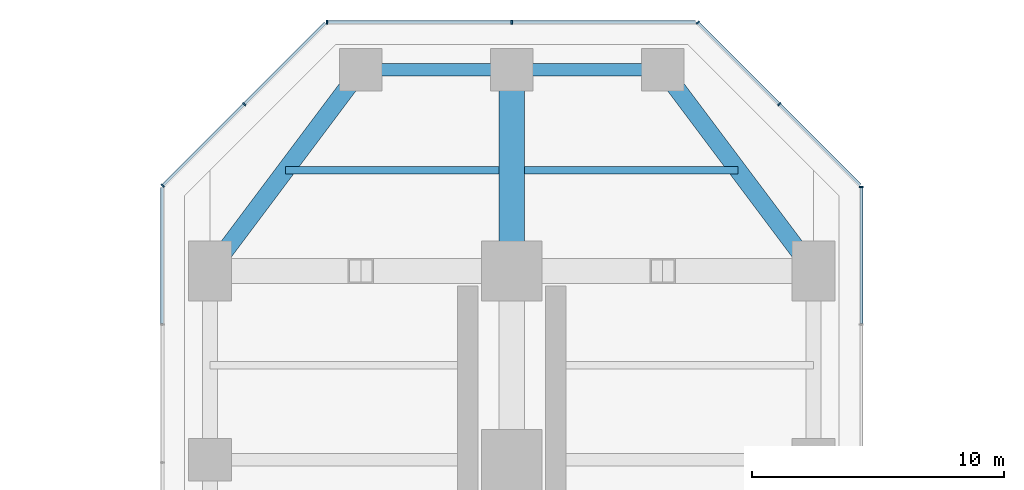
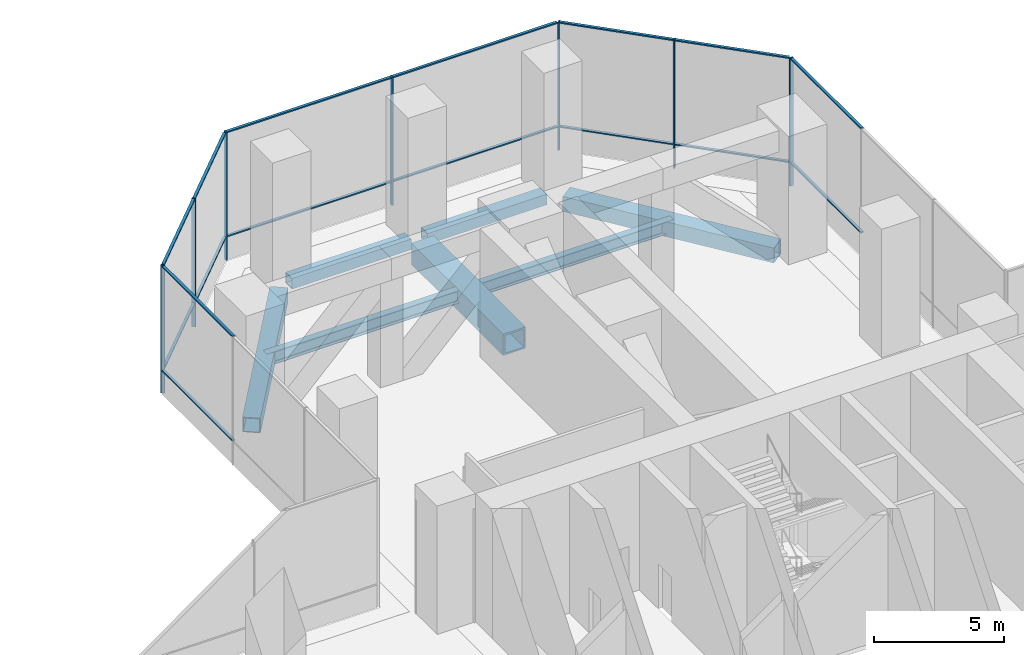
# One storey, part 12 of 20: 23 members, 7 beams, 5 elements without a shape of their own.
"""IFC4 building model written with IfcOpenShell, lengths in metres."""

from ifc_helpers import new_model, si_unit, direction, frame, origin, origin_2d, place, context, subcontext, project, spatial, rectangle, hollow_rectangle, i_section, extrude, material, material_profile, profile_set, type_object, element, aggregate, save


model = new_model("IFC4")

# Units and contexts
model_context = context("Model", 3, precision=1e-05, world=origin(), true_north=direction((0.0, 1.0)))
body_context = subcontext(model_context, "Body", "Model", "MODEL_VIEW")
ifc_project = project(units=[si_unit("LENGTHUNIT", "METRE"), si_unit("AREAUNIT", "SQUARE_METRE"), si_unit("VOLUMEUNIT", "CUBIC_METRE"), si_unit("PLANEANGLEUNIT", "RADIAN"), si_unit("MASSUNIT", "GRAM", prefix="KILO")], contexts=[model_context])

# Site, building, storey
site_placement = place(None, origin())
site = spatial("IfcSite", under=ifc_project, at=site_placement, CompositionType="ELEMENT")
building_placement = place(site_placement, origin())
building = spatial("IfcBuilding", under=site, at=building_placement, Name="Mizan Broadcast Tower", CompositionType="ELEMENT")
storey_placement = place(building_placement, frame((0.0, 0.0, 118.199951171875)))
storey = spatial("IfcBuildingStorey", under=building, at=storey_placement, Name="L26", CompositionType="ELEMENT", Elevation=118.199951171875)

# Beams
ifc_material_1 = material(Name="Steel S355", Category="steel")
ifc_material_profile_1 = material_profile(ifc_material_1, hollow_rectangle(XDim=0.5, YDim=0.5, WallThickness=0.030029296875, at=origin_2d()), Name="BOX 500x500x30")
ifc_profile_set_1 = profile_set([ifc_material_profile_1], Name="Steel S355")
beam_type_1 = type_object("IfcBeamType", Name="EDGE BEAM BOX 500x500x30", PredefinedType="SPANDREL", material=ifc_profile_set_1)
for number, where, z_axis, x_axis, name in (
    (1, (5.639892578125, 35.0, -0.429931640625), (-1.0, 0.0, 0.0), (0.0, -1.0, 0.0), "Edge beam BOX 500x500x30 L26 north arm"),
    (2, (-5.639892578125, 35.0, -0.429931640625), (1.0, 0.0, 0.0), (0.0, 1.0, 0.0), "Edge beam BOX 500x500x30 L26 north arm"),
):
    element("IfcBeam", number, at=place(storey_placement, frame(where, z_axis=z_axis, x_axis=x_axis)), inside=storey, type_object=beam_type_1, Name=name, PredefinedType="SPANDREL", context=body_context, shape_type="SweptSolid", body=[
        extrude(hollow_rectangle(XDim=0.5, YDim=0.5, WallThickness=0.030029296875, at=origin_2d()), origin(), (0.0, 0.0, 1.0), 5.27978515625),
    ])
ifc_material_2 = material(Name="Steel S355", Category="steel")
ifc_material_profile_2 = material_profile(ifc_material_2, hollow_rectangle(XDim=0.699951171875, YDim=0.699951171875, WallThickness=0.0400390625, at=origin_2d()), Name="BOX 700x700x40")
ifc_profile_set_2 = profile_set([ifc_material_profile_2], Name="Steel S355")
beam_type_2 = type_object("IfcBeamType", Name="EDGE BEAM BOX 700x700x40", PredefinedType="SPANDREL", material=ifc_profile_set_2)
for number, where, z_axis, x_axis, name in (
    (3, (11.639892578125, 27.47998046875, -0.530029296875), (-0.599982243973, 0.800013316712, 0.0), (-0.800013316712, -0.599982243973, 0.0), "Edge beam BOX 700x700x40 L26 north arm"),
    (4, (-11.639892578125, 27.47998046875, -0.530029296875), (0.599982243973, 0.800013316712, 0.0), (-0.800013316712, 0.599982243973, 0.0), "Edge beam BOX 700x700x40 L26 north arm"),
):
    element("IfcBeam", number, at=place(storey_placement, frame(where, z_axis=z_axis, x_axis=x_axis)), inside=storey, type_object=beam_type_2, Name=name, PredefinedType="SPANDREL", context=body_context, shape_type="SweptSolid", body=[
        extrude(hollow_rectangle(XDim=0.699951171875, YDim=0.699951171875, WallThickness=0.0400390625, at=origin_2d()), origin(), (0.0, 0.0, 1.0), 8.7998046875),
    ])
ifc_material_3 = material(Name="Steel S460", Category="steel")
ifc_material_profile_3 = material_profile(ifc_material_3, hollow_rectangle(XDim=1.0, YDim=1.0, WallThickness=0.080078125, at=origin_2d()), Name="BOX 1000x1000x80")
ifc_profile_set_3 = profile_set([ifc_material_profile_3], Name="Steel S460")
beam_type_3 = type_object("IfcBeamType", Name="GIRDER BOX 1000x1000x80", PredefinedType="BEAM", material=ifc_profile_set_3)
beam_placement = place(storey_placement, frame((0.0, 27.47998046875, -0.679931640625), z_axis=(0.0, 1.0, 0.0), x_axis=(-1.0, 0.0, 0.0)))
element("IfcBeam", 5, at=beam_placement, inside=storey, type_object=beam_type_3, Name="Girder BOX 1000x1000x80 L26 north arm", PredefinedType="BEAM", context=body_context, shape_type="SweptSolid", body=[
    extrude(hollow_rectangle(XDim=1.0, YDim=1.0, WallThickness=0.080078125, at=origin_2d()), origin(), (0.0, 0.0, 1.0), 7.0400390625),
])

# Curtain wall, member
ifc_material_4 = material(Name="Aluminium framed glazing", Category="aluminium")
curtain_wall_type = type_object("IfcCurtainWallType", Name="PLANT LOUVRE", PredefinedType="USERDEFINED", material=ifc_material_4)
curtain_wall_1_placement = place(storey_placement, origin())
curtain_wall_1 = element("IfcCurtainWall", 6, at=curtain_wall_1_placement, inside=storey, type_object=curtain_wall_type, Name="Plant louvre L26 N side", ObjectType="PLANT LOUVRE", PredefinedType="USERDEFINED")
ifc_material_5 = material(Name="Aluminium, pale anodised", Category="aluminium")
ifc_material_profile_4 = material_profile(ifc_material_5, rectangle(XDim=0.159912109375, YDim=0.06005859375, at=origin_2d()), Name="MULLION 160x60")
ifc_profile_set_4 = profile_set([ifc_material_profile_4], Name="Aluminium, pale anodised")
member_type_1 = type_object("IfcMemberType", Name="INNER SKIN MULLION 60x160", PredefinedType="MULLION", material=ifc_profile_set_4)
member_1_placement = place(storey_placement, frame((13.89990234375, 30.3427734375, 0.0), z_axis=(0.0, 0.0, 1.0), x_axis=(-1.0, 0.0, 0.0)))
member_1 = element("IfcMember", 7, at=member_1_placement, type_object=member_type_1, Name="Plant louvre L26 N side mullion 4", PredefinedType="MULLION", context=body_context, shape_type="SweptSolid", body=[
    extrude(rectangle(XDim=0.159912109375, YDim=0.06005859375, at=origin_2d()), origin(), (0.0, 0.0, 1.0), 6.0),
])

# Curtain wall, members
curtain_wall_2_placement = place(storey_placement, origin())
curtain_wall_2 = element("IfcCurtainWall", 8, at=curtain_wall_2_placement, inside=storey, type_object=curtain_wall_type, Name="Plant louvre L26 N chamfer", ObjectType="PLANT LOUVRE", PredefinedType="USERDEFINED")
member_2_placement = place(storey_placement, frame((10.636474609375, 33.636474609375, 0.0), z_axis=(0.0, 0.0, 1.0), x_axis=(-0.707106781187, -0.707106781187, 0.0)))
member_2 = element("IfcMember", 9, at=member_2_placement, type_object=member_type_1, Name="Plant louvre L26 N chamfer mullion 2", PredefinedType="MULLION", context=body_context, shape_type="SweptSolid", body=[
    extrude(rectangle(XDim=0.159912109375, YDim=0.06005859375, at=origin_2d()), origin(), (0.0, 0.0, 1.0), 6.0),
])
member_3_placement = place(storey_placement, frame((7.39404296875, 36.87890625, 0.0), z_axis=(0.0, 0.0, 1.0), x_axis=(-0.707106781187, -0.707106781187, 0.0)))
member_3 = element("IfcMember", 10, at=member_3_placement, type_object=member_type_1, Name="Plant louvre L26 N chamfer mullion 3", PredefinedType="MULLION", context=body_context, shape_type="SweptSolid", body=[
    extrude(rectangle(XDim=0.159912109375, YDim=0.06005859375, at=origin_2d()), origin(), (0.0, 0.0, 1.0), 6.0),
])

curtain_wall_3_placement = place(storey_placement, origin())
curtain_wall_3 = element("IfcCurtainWall", 11, at=curtain_wall_3_placement, inside=storey, type_object=curtain_wall_type, Name="Plant louvre L26 N end", ObjectType="PLANT LOUVRE", PredefinedType="USERDEFINED")
member_4_placement = place(storey_placement, frame((0.0, 36.89990234375, 0.0), z_axis=(0.0, 0.0, 1.0), x_axis=(0.0, -1.0, 0.0)))
member_4 = element("IfcMember", 12, at=member_4_placement, type_object=member_type_1, Name="Plant louvre L26 N end mullion 2", PredefinedType="MULLION", context=body_context, shape_type="SweptSolid", body=[
    extrude(rectangle(XDim=0.159912109375, YDim=0.06005859375, at=origin_2d()), origin(), (0.0, 0.0, 1.0), 6.0),
])
member_5_placement = place(storey_placement, frame((-7.3427734375, 36.89990234375, 0.0), z_axis=(0.0, 0.0, 1.0), x_axis=(0.0, -1.0, 0.0)))
member_5 = element("IfcMember", 13, at=member_5_placement, type_object=member_type_1, Name="Plant louvre L26 N end mullion 3", PredefinedType="MULLION", context=body_context, shape_type="SweptSolid", body=[
    extrude(rectangle(XDim=0.159912109375, YDim=0.06005859375, at=origin_2d()), origin(), (0.0, 0.0, 1.0), 6.0),
])

curtain_wall_4_placement = place(storey_placement, origin())
curtain_wall_4 = element("IfcCurtainWall", 14, at=curtain_wall_4_placement, inside=storey, type_object=curtain_wall_type, Name="Plant louvre L26 N chamfer", ObjectType="PLANT LOUVRE", PredefinedType="USERDEFINED")
member_6_placement = place(storey_placement, frame((-10.636474609375, 33.636474609375, 0.0), z_axis=(0.0, 0.0, 1.0), x_axis=(0.707106781187, -0.707106781187, 0.0)))
member_6 = element("IfcMember", 15, at=member_6_placement, type_object=member_type_1, Name="Plant louvre L26 N chamfer mullion 2", PredefinedType="MULLION", context=body_context, shape_type="SweptSolid", body=[
    extrude(rectangle(XDim=0.159912109375, YDim=0.06005859375, at=origin_2d()), origin(), (0.0, 0.0, 1.0), 6.0),
])
member_7_placement = place(storey_placement, frame((-13.87890625, 30.39404296875, 0.0), z_axis=(0.0, 0.0, 1.0), x_axis=(0.707106781187, -0.707106781187, 0.0)))
member_7 = element("IfcMember", 16, at=member_7_placement, type_object=member_type_1, Name="Plant louvre L26 N chamfer mullion 3", PredefinedType="MULLION", context=body_context, shape_type="SweptSolid", body=[
    extrude(rectangle(XDim=0.159912109375, YDim=0.06005859375, at=origin_2d()), origin(), (0.0, 0.0, 1.0), 6.0),
])

# Member
ifc_material_6 = material(Name="Aluminium, pale anodised", Category="aluminium")
ifc_material_profile_5 = material_profile(ifc_material_6, rectangle(XDim=0.1201171875, YDim=0.06005859375, at=origin_2d()), Name="TRANSOM 120x60")
ifc_profile_set_5 = profile_set([ifc_material_profile_5], Name="Aluminium, pale anodised")
member_type_2 = type_object("IfcMemberType", Name="INNER SKIN TRANSOM 60x120", PredefinedType="USERDEFINED", material=ifc_profile_set_5)
member_8_placement = place(storey_placement, frame((13.89990234375, 24.911865234375, 1.10009765625), z_axis=(0.0, 1.0, 0.0), x_axis=(-1.0, 0.0, 0.0)))
member_8 = element("IfcMember", 17, at=member_8_placement, type_object=member_type_2, Name="Plant louvre L26 N side transom 3.1", ObjectType="TRANSOM", PredefinedType="USERDEFINED", context=body_context, shape_type="SweptSolid", body=[
    extrude(rectangle(XDim=0.1201171875, YDim=0.06005859375, at=origin_2d()), origin(), (0.0, 0.0, 1.0), 5.40087890625),
])

member_9_placement = place(storey_placement, frame((13.89990234375, 24.911865234375, 5.969970703125), z_axis=(0.0, 1.0, 0.0), x_axis=(-1.0, 0.0, 0.0)))
member_9 = element("IfcMember", 18, at=member_9_placement, type_object=member_type_2, Name="Plant louvre L26 N side transom 3.2", ObjectType="TRANSOM", PredefinedType="USERDEFINED", context=body_context, shape_type="SweptSolid", body=[
    extrude(rectangle(XDim=0.1201171875, YDim=0.06005859375, at=origin_2d()), origin(), (0.0, 0.0, 1.0), 5.40087890625),
])

aggregate(curtain_wall_1, [member_1, member_8, member_9])

member_10_placement = place(storey_placement, frame((13.857666015625, 30.415283203125, 1.10009765625), z_axis=(-0.707106781187, 0.707106781187, 0.0), x_axis=(-0.707106781187, -0.707106781187, 0.0)))
member_10 = element("IfcMember", 19, at=member_10_placement, type_object=member_type_2, Name="Plant louvre L26 N chamfer transom 1.1", ObjectType="TRANSOM", PredefinedType="USERDEFINED", context=body_context, shape_type="SweptSolid", body=[
    extrude(rectangle(XDim=0.1201171875, YDim=0.06005859375, at=origin_2d()), origin(), (0.0, 0.0, 1.0), 4.525390625),
])

member_11_placement = place(storey_placement, frame((13.857666015625, 30.415283203125, 5.969970703125), z_axis=(-0.707106781187, 0.707106781187, 0.0), x_axis=(-0.707106781187, -0.707106781187, 0.0)))
member_11 = element("IfcMember", 20, at=member_11_placement, type_object=member_type_2, Name="Plant louvre L26 N chamfer transom 1.2", ObjectType="TRANSOM", PredefinedType="USERDEFINED", context=body_context, shape_type="SweptSolid", body=[
    extrude(rectangle(XDim=0.1201171875, YDim=0.06005859375, at=origin_2d()), origin(), (0.0, 0.0, 1.0), 4.525390625),
])

member_12_placement = place(storey_placement, frame((10.615234375, 33.65771484375, 1.10009765625), z_axis=(-0.707106781187, 0.707106781187, 0.0), x_axis=(-0.707106781187, -0.707106781187, 0.0)))
member_12 = element("IfcMember", 21, at=member_12_placement, type_object=member_type_2, Name="Plant louvre L26 N chamfer transom 2.1", ObjectType="TRANSOM", PredefinedType="USERDEFINED", context=body_context, shape_type="SweptSolid", body=[
    extrude(rectangle(XDim=0.1201171875, YDim=0.06005859375, at=origin_2d()), origin(), (0.0, 0.0, 1.0), 4.525390625),
])

member_13_placement = place(storey_placement, frame((10.615234375, 33.65771484375, 5.969970703125), z_axis=(-0.707106781187, 0.707106781187, 0.0), x_axis=(-0.707106781187, -0.707106781187, 0.0)))
member_13 = element("IfcMember", 22, at=member_13_placement, type_object=member_type_2, Name="Plant louvre L26 N chamfer transom 2.2", ObjectType="TRANSOM", PredefinedType="USERDEFINED", context=body_context, shape_type="SweptSolid", body=[
    extrude(rectangle(XDim=0.1201171875, YDim=0.06005859375, at=origin_2d()), origin(), (0.0, 0.0, 1.0), 4.525390625),
])

aggregate(curtain_wall_2, [member_2, member_3, member_10, member_11, member_12, member_13])

member_14_placement = place(storey_placement, frame((7.312744140625, 36.89990234375, 1.10009765625), z_axis=(-1.0, 0.0, 0.0), x_axis=(0.0, -1.0, 0.0)))
member_14 = element("IfcMember", 23, at=member_14_placement, type_object=member_type_2, Name="Plant louvre L26 N end transom 1.1", ObjectType="TRANSOM", PredefinedType="USERDEFINED", context=body_context, shape_type="SweptSolid", body=[
    extrude(rectangle(XDim=0.1201171875, YDim=0.06005859375, at=origin_2d()), origin(), (0.0, 0.0, 1.0), 7.28271484375),
])

member_15_placement = place(storey_placement, frame((7.312744140625, 36.89990234375, 5.969970703125), z_axis=(-1.0, 0.0, 0.0), x_axis=(0.0, -1.0, 0.0)))
member_15 = element("IfcMember", 24, at=member_15_placement, type_object=member_type_2, Name="Plant louvre L26 N end transom 1.2", ObjectType="TRANSOM", PredefinedType="USERDEFINED", context=body_context, shape_type="SweptSolid", body=[
    extrude(rectangle(XDim=0.1201171875, YDim=0.06005859375, at=origin_2d()), origin(), (0.0, 0.0, 1.0), 7.28271484375),
])

member_16_placement = place(storey_placement, frame((-0.030029296875, 36.89990234375, 1.10009765625), z_axis=(-1.0, 0.0, 0.0), x_axis=(0.0, -1.0, 0.0)))
member_16 = element("IfcMember", 25, at=member_16_placement, type_object=member_type_2, Name="Plant louvre L26 N end transom 2.1", ObjectType="TRANSOM", PredefinedType="USERDEFINED", context=body_context, shape_type="SweptSolid", body=[
    extrude(rectangle(XDim=0.1201171875, YDim=0.06005859375, at=origin_2d()), origin(), (0.0, 0.0, 1.0), 7.28271484375),
])

member_17_placement = place(storey_placement, frame((-0.030029296875, 36.89990234375, 5.969970703125), z_axis=(-1.0, 0.0, 0.0), x_axis=(0.0, -1.0, 0.0)))
member_17 = element("IfcMember", 26, at=member_17_placement, type_object=member_type_2, Name="Plant louvre L26 N end transom 2.2", ObjectType="TRANSOM", PredefinedType="USERDEFINED", context=body_context, shape_type="SweptSolid", body=[
    extrude(rectangle(XDim=0.1201171875, YDim=0.06005859375, at=origin_2d()), origin(), (0.0, 0.0, 1.0), 7.28271484375),
])

aggregate(curtain_wall_3, [member_4, member_5, member_14, member_15, member_16, member_17])

member_18_placement = place(storey_placement, frame((-7.415283203125, 36.857666015625, 1.10009765625), z_axis=(-0.707106781187, -0.707106781187, 0.0), x_axis=(0.707106781187, -0.707106781187, 0.0)))
member_18 = element("IfcMember", 27, at=member_18_placement, type_object=member_type_2, Name="Plant louvre L26 N chamfer transom 1.1", ObjectType="TRANSOM", PredefinedType="USERDEFINED", context=body_context, shape_type="SweptSolid", body=[
    extrude(rectangle(XDim=0.1201171875, YDim=0.06005859375, at=origin_2d()), origin(), (0.0, 0.0, 1.0), 4.525390625),
])

member_19_placement = place(storey_placement, frame((-7.415283203125, 36.857666015625, 5.969970703125), z_axis=(-0.707106781187, -0.707106781187, 0.0), x_axis=(0.707106781187, -0.707106781187, 0.0)))
member_19 = element("IfcMember", 28, at=member_19_placement, type_object=member_type_2, Name="Plant louvre L26 N chamfer transom 1.2", ObjectType="TRANSOM", PredefinedType="USERDEFINED", context=body_context, shape_type="SweptSolid", body=[
    extrude(rectangle(XDim=0.1201171875, YDim=0.06005859375, at=origin_2d()), origin(), (0.0, 0.0, 1.0), 4.525390625),
])

member_20_placement = place(storey_placement, frame((-10.65771484375, 33.615234375, 1.10009765625), z_axis=(-0.707106781187, -0.707106781187, 0.0), x_axis=(0.707106781187, -0.707106781187, 0.0)))
member_20 = element("IfcMember", 29, at=member_20_placement, type_object=member_type_2, Name="Plant louvre L26 N chamfer transom 2.1", ObjectType="TRANSOM", PredefinedType="USERDEFINED", context=body_context, shape_type="SweptSolid", body=[
    extrude(rectangle(XDim=0.1201171875, YDim=0.06005859375, at=origin_2d()), origin(), (0.0, 0.0, 1.0), 4.525390625),
])

member_21_placement = place(storey_placement, frame((-10.65771484375, 33.615234375, 5.969970703125), z_axis=(-0.707106781187, -0.707106781187, 0.0), x_axis=(0.707106781187, -0.707106781187, 0.0)))
member_21 = element("IfcMember", 30, at=member_21_placement, type_object=member_type_2, Name="Plant louvre L26 N chamfer transom 2.2", ObjectType="TRANSOM", PredefinedType="USERDEFINED", context=body_context, shape_type="SweptSolid", body=[
    extrude(rectangle(XDim=0.1201171875, YDim=0.06005859375, at=origin_2d()), origin(), (0.0, 0.0, 1.0), 4.525390625),
])

aggregate(curtain_wall_4, [member_6, member_7, member_18, member_19, member_20, member_21])

# Curtain wall, members
curtain_wall_5_placement = place(storey_placement, origin())
curtain_wall_5 = element("IfcCurtainWall", 31, at=curtain_wall_5_placement, inside=storey, type_object=curtain_wall_type, Name="Plant louvre L26 N side", ObjectType="PLANT LOUVRE", PredefinedType="USERDEFINED")
member_22_placement = place(storey_placement, frame((-13.89990234375, 30.312744140625, 1.10009765625), z_axis=(0.0, -1.0, 0.0), x_axis=(1.0, 0.0, 0.0)))
member_22 = element("IfcMember", 32, at=member_22_placement, type_object=member_type_2, Name="Plant louvre L26 N side transom 1.1", ObjectType="TRANSOM", PredefinedType="USERDEFINED", context=body_context, shape_type="SweptSolid", body=[
    extrude(rectangle(XDim=0.1201171875, YDim=0.06005859375, at=origin_2d()), origin(), (0.0, 0.0, 1.0), 5.40087890625),
])
member_23_placement = place(storey_placement, frame((-13.89990234375, 30.312744140625, 5.969970703125), z_axis=(0.0, -1.0, 0.0), x_axis=(1.0, 0.0, 0.0)))
member_23 = element("IfcMember", 33, at=member_23_placement, type_object=member_type_2, Name="Plant louvre L26 N side transom 1.2", ObjectType="TRANSOM", PredefinedType="USERDEFINED", context=body_context, shape_type="SweptSolid", body=[
    extrude(rectangle(XDim=0.1201171875, YDim=0.06005859375, at=origin_2d()), origin(), (0.0, 0.0, 1.0), 5.40087890625),
])
aggregate(curtain_wall_5, [member_22, member_23])

# Beams
ifc_material_7 = material(Name="Steel S355", Category="steel")
ifc_material_profile_6 = material_profile(ifc_material_7, i_section(OverallWidth=0.300048828125, OverallDepth=0.590087890625, WebThickness=0.012939453125, FlangeThickness=0.02490234375, FilletRadius=0.027099609375, at=origin_2d()), Name="HEA 600")
ifc_profile_set_6 = profile_set([ifc_material_profile_6], Name="Steel S355")
beam_type_4 = type_object("IfcBeamType", Name="SECONDARY BEAM HEA 600", PredefinedType="JOIST", material=ifc_profile_set_6)
for number, where, z_axis, x_axis, name in (
    (34, (9.0, 31.0, -0.474853515625), (-1.0, 0.0, 0.0), (0.0, -1.0, 0.0), "Secondary beam HEA 600 L26 north arm"),
    (35, (-9.0, 31.0, -0.474853515625), (1.0, 0.0, 0.0), (0.0, 1.0, 0.0), "Secondary beam HEA 600 L26 north arm"),
):
    element("IfcBeam", number, at=place(storey_placement, frame(where, z_axis=z_axis, x_axis=x_axis)), inside=storey, type_object=beam_type_4, Name=name, PredefinedType="JOIST", context=body_context, shape_type="SweptSolid", body=[
        extrude(i_section(OverallWidth=0.300048828125, OverallDepth=0.590087890625, WebThickness=0.012939453125, FlangeThickness=0.02490234375, FilletRadius=0.027099609375, at=origin_2d()), origin(), (0.0, 0.0, 1.0), 8.5),
    ])

save(model, "model.ifc")
